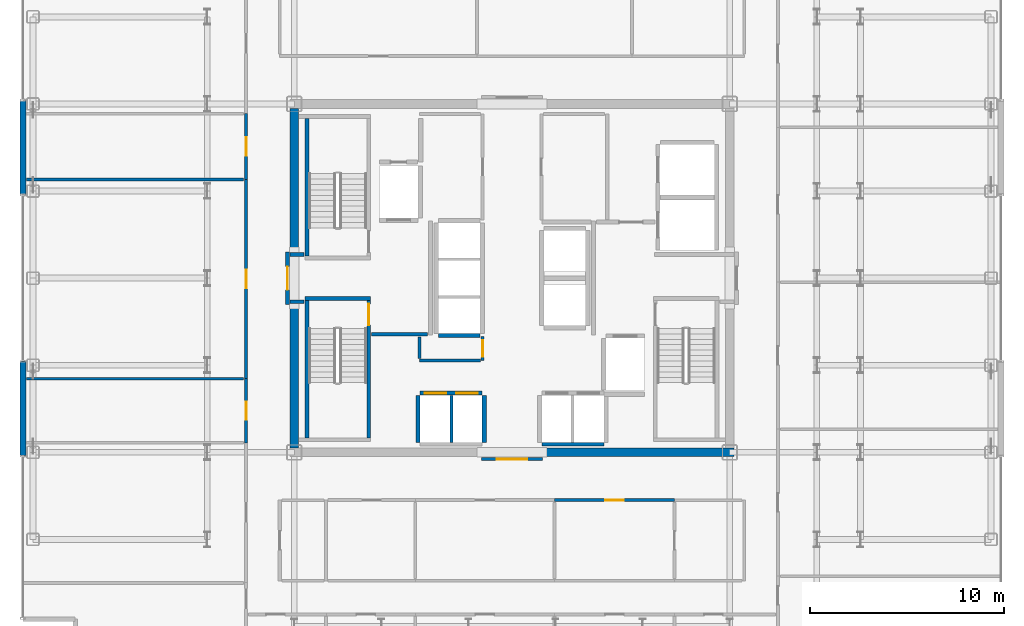
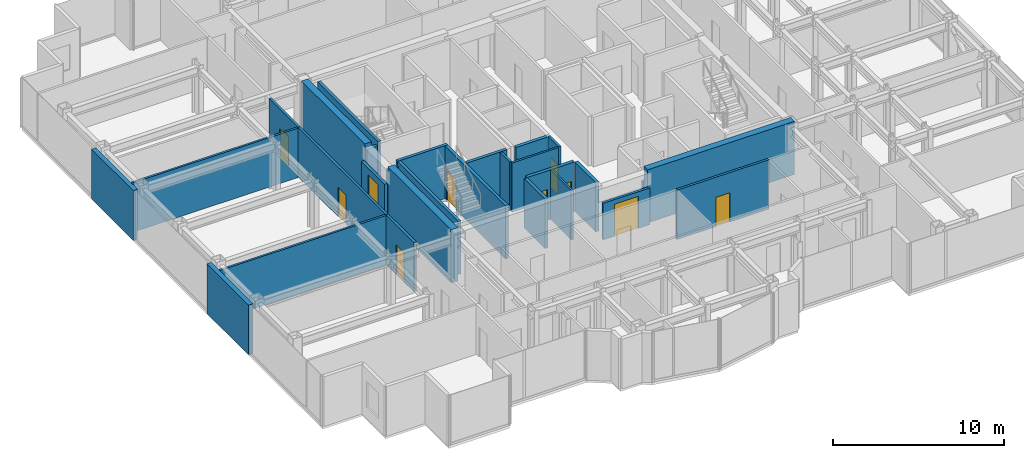
# One storey, part 16 of 21: 29 walls, 10 doors, 10 openings.
"""IFC4 building model written with IfcOpenShell, lengths in metres."""

import ifcopenshell
import ifcopenshell.guid

model = None  # the IFC model being written
_history = None  # IfcOwnerHistory: only IFC2X3 demands one
_inside = {}  # id of a spatial element -> (the spatial element, [elements in it])
_under = {}  # id of a project, library or spatial element -> (it, [spatial elements below it])
_declared = {}  # id of a project -> (the project, [libraries it declares])
_typed = {}  # id of a type object -> (the type object, [elements of that type])
_made_of = {}  # id of a material, layer set ... -> (it, [elements and type objects made of it])


def new_model(schema):
    """Start an empty IFC model of exactly this schema.

    Asked for "IFC4X3", IfcOpenShell would pick the latest addendum, in which some entities
    have other attributes; the version numbers below select the first issue.
    IFC2X3 requires an IfcOwnerHistory on every rooted entity: one is made here for all.
    """
    global model, _history
    if schema == "IFC4X3":
        model = ifcopenshell.file(schema_version=(4, 3, 0, 0))
    else:
        model = ifcopenshell.file(schema=schema)
    _inside.clear()
    _under.clear()
    _declared.clear()
    _typed.clear()
    _made_of.clear()
    _history = None
    if model.schema == "IFC2X3":
        org = make("IfcOrganization", Name="unknown")
        user = make(
            "IfcPersonAndOrganization",
            ThePerson=make("IfcPerson", FamilyName="unknown"),
            TheOrganization=org,
        )
        app = make(
            "IfcApplication",
            ApplicationDeveloper=org,
            Version="unknown",
            ApplicationFullName="unknown",
            ApplicationIdentifier="unknown",
        )
        _history = make(
            "IfcOwnerHistory",
            OwningUser=user,
            OwningApplication=app,
            ChangeAction="ADDED",
            CreationDate=0,
        )
    return model


def make(cls, **values):
    """One entity of the class cls with the attributes given. An attribute that is None is left unset."""
    return model.create_entity(
        cls, **{name: value for name, value in values.items() if value is not None}
    )


def rooted(cls, **values):
    """An entity with a GlobalId (a new one), such as an element, a storey or a relation."""
    return make(cls, GlobalId=ifcopenshell.guid.new(), OwnerHistory=_history, **values)


def si_unit(unit_type, name, prefix=None):
    """IfcSIUnit, for example si_unit("LENGTHUNIT", "METRE", prefix="MILLI")."""
    return make("IfcSIUnit", UnitType=unit_type, Prefix=prefix, Name=name)


def assignment(units):
    """IfcUnitAssignment: the units of a project."""
    return None if units is None else make("IfcUnitAssignment", Units=units)


def point(xyz):
    """IfcCartesianPoint."""
    return None if xyz is None else make("IfcCartesianPoint", Coordinates=xyz)


def direction(xyz):
    """IfcDirection."""
    return None if xyz is None else make("IfcDirection", DirectionRatios=xyz)


def frame(location, z_axis=None, x_axis=None):
    """IfcAxis2Placement3D, a coordinate frame: its origin and axes. An axis left out is left unset."""
    return make(
        "IfcAxis2Placement3D",
        Location=point(location),
        Axis=direction(z_axis),
        RefDirection=direction(x_axis),
    )


def frame_2d(location, x_axis=None):
    """IfcAxis2Placement2D, a coordinate frame in the plane: its origin and x axis."""
    return make(
        "IfcAxis2Placement2D", Location=point(location), RefDirection=direction(x_axis)
    )


def origin():
    """The frame at (0, 0, 0) with its axes left unset."""
    return frame((0.0, 0.0, 0.0))


def place(relative_to, where):
    """IfcLocalPlacement: puts the frame where relative to a parent placement (None: the world)."""
    return make(
        "IfcLocalPlacement", PlacementRelTo=relative_to, RelativePlacement=where
    )


def context(
    kind, dimensions, precision=None, world=None, true_north=None, identifier=None
):
    """IfcGeometricRepresentationContext, for example the 3D "Model" context."""
    return make(
        "IfcGeometricRepresentationContext",
        ContextIdentifier=identifier,
        ContextType=kind,
        CoordinateSpaceDimension=dimensions,
        Precision=precision,
        WorldCoordinateSystem=world,
        TrueNorth=true_north,
    )


def subcontext(parent, identifier, kind, view, scale=None):
    """IfcGeometricRepresentationSubContext, for example "Body" below "Model"."""
    return make(
        "IfcGeometricRepresentationSubContext",
        ContextIdentifier=identifier,
        ContextType=kind,
        ParentContext=parent,
        TargetScale=scale,
        TargetView=view,
    )


def project(units=None, contexts=None):
    """IfcProject with its units and contexts."""
    return rooted(
        "IfcProject",
        Name="project",
        RepresentationContexts=contexts,
        UnitsInContext=assignment(units),
    )


def spatial(cls, under=None, at=None, **own):
    """A site, building, storey or space (cls), placed at a placement, below another one or the project."""
    s = rooted(cls, ObjectPlacement=at, **own)
    if under is not None:
        _under.setdefault(under.id(), (under, []))[1].append(s)
    return s


def profile(cls, at=None, kind="AREA", **sizes):
    """A parametric profile (cls). Its sizes go by their IFC names, for example OverallWidth=200.0."""
    return make(cls, ProfileType=kind, Position=at, **sizes)


def rectangle(**sizes):
    """IfcRectangleProfileDef."""
    return profile("IfcRectangleProfileDef", **sizes)


def extrude(swept, where, along, depth):
    """IfcExtrudedAreaSolid: the profile swept, set in the frame where, extruded along a direction by depth."""
    return make(
        "IfcExtrudedAreaSolid",
        SweptArea=swept,
        Position=where,
        ExtrudedDirection=direction(along),
        Depth=depth,
    )


def shape(context_of_items, identifier, shape_type, items):
    """IfcShapeRepresentation: the items that make up one representation, for example the "Body"."""
    return make(
        "IfcShapeRepresentation",
        ContextOfItems=context_of_items,
        RepresentationIdentifier=identifier,
        RepresentationType=shape_type,
        Items=items,
    )


def source(mapping_origin, context_of_items, identifier, shape_type, items):
    """IfcRepresentationMap: a shape defined once, which mapped items show again and again."""
    return make(
        "IfcRepresentationMap",
        MappingOrigin=mapping_origin,
        MappedRepresentation=shape(context_of_items, identifier, shape_type, items),
    )


def transform(
    local_origin,
    x_axis=None,
    y_axis=None,
    z_axis=None,
    scale=None,
    scale2=None,
    scale3=None,
    uniform=True,
):
    """IfcCartesianTransformationOperator3D, or its non-uniform kind. x_axis, y_axis, z_axis: its Axis1, 2, 3."""
    if uniform:
        return make(
            "IfcCartesianTransformationOperator3D",
            Axis1=direction(x_axis),
            Axis2=direction(y_axis),
            LocalOrigin=point(local_origin),
            Scale=scale,
            Axis3=direction(z_axis),
        )
    return make(
        "IfcCartesianTransformationOperator3DnonUniform",
        Axis1=direction(x_axis),
        Axis2=direction(y_axis),
        LocalOrigin=point(local_origin),
        Scale=scale,
        Axis3=direction(z_axis),
        Scale2=scale2,
        Scale3=scale3,
    )


def mapped(mapping_source, mapping_target):
    """IfcMappedItem: shows the shape of a source again, moved by a transform."""
    return make(
        "IfcMappedItem", MappingSource=mapping_source, MappingTarget=mapping_target
    )


def material(Name=None, Category=None):
    """IfcMaterial."""
    return make("IfcMaterial", Name=Name, Category=Category)


def layer(
    of_material, thickness, ventilated=None, Name=None, Category=None, Priority=None
):
    """IfcMaterialLayer: one layer of a wall or slab, of a material (None: an air gap)."""
    return make(
        "IfcMaterialLayer",
        Material=of_material,
        LayerThickness=thickness,
        IsVentilated=ventilated,
        Name=Name,
        Category=Category,
        Priority=Priority,
    )


def layer_set(layers, Name=None):
    """IfcMaterialLayerSet."""
    return make("IfcMaterialLayerSet", MaterialLayers=layers, LayerSetName=Name)


def made_of(thing, what):
    """Note that an element or type object is made of a material, layer set ...; save() writes the relation."""
    if what is not None:
        _made_of.setdefault(what.id(), (what, []))[1].append(thing)
    return thing


def type_object(cls, material=None, **own):
    """A type object (cls), such as IfcWallType, which elements share."""
    return made_of(rooted(cls, **own), material)


def element(
    cls,
    number,
    at=None,
    inside=None,
    cuts=None,
    type_object=None,
    material=None,
    context=None,
    identifier="Body",
    shape_type=None,
    held_by="IfcProductDefinitionShape",
    body=None,
    shapes=None,
    **own,
):
    """One element of the class cls, such as IfcWall. Its Tag is "e" and its number.

    at: its placement. inside: the storey or other place that contains it. cuts: it is an
    opening in that element (IfcRelVoidsElement). A single representation is given by context,
    identifier, shape_type and body (its items); several are given by shapes. held_by: the class
    of the entity that holds the representations. save() writes the other relations.
    """
    e = rooted(cls, Tag="e%d" % number, ObjectPlacement=at, **own)
    if body is not None:
        shapes = [shape(context, identifier, shape_type, body)]
    if shapes is not None:
        e.Representation = make(held_by, Representations=shapes)
    if inside is not None:
        _inside.setdefault(inside.id(), (inside, []))[1].append(e)
    if cuts is not None:
        rooted(
            "IfcRelVoidsElement", RelatingBuildingElement=cuts, RelatedOpeningElement=e
        )
    if type_object is not None:
        _typed.setdefault(type_object.id(), (type_object, []))[1].append(e)
    return made_of(e, material)


def fill(opening, filler):
    """IfcRelFillsElement: the door or window that sits in an opening."""
    return rooted(
        "IfcRelFillsElement",
        RelatingOpeningElement=opening,
        RelatedBuildingElement=filler,
    )


def aggregate(whole, parts):
    """IfcRelAggregates: a whole, such as a stair, and the parts it consists of."""
    return rooted("IfcRelAggregates", RelatingObject=whole, RelatedObjects=parts)


def save(model, path):
    """Write the relations noted so far, then the file.

    IfcRelAggregates (storeys below a building ...), IfcRelContainedInSpatialStructure (elements
    in a storey), IfcRelDefinesByType, IfcRelAssociatesMaterial and IfcRelDeclares: one each for
    every whole, place, type object, material and project.
    """
    for whole, parts in _under.values():
        aggregate(whole, parts)
    for where, things in _inside.values():
        rooted(
            "IfcRelContainedInSpatialStructure",
            RelatedElements=things,
            RelatingStructure=where,
        )
    for kind, things in _typed.values():
        rooted("IfcRelDefinesByType", RelatedObjects=things, RelatingType=kind)
    for what, things in _made_of.values():
        rooted("IfcRelAssociatesMaterial", RelatedObjects=things, RelatingMaterial=what)
    for by, libraries in _declared.values():
        rooted("IfcRelDeclares", RelatingContext=by, RelatedDefinitions=libraries)
    model.write(path)


model = new_model("IFC4")

# Units and contexts
model_context = context("Model", 3, precision=1e-05, world=origin(), true_north=direction((0.0, 1.0)))
body_context = subcontext(model_context, "Body", "Model", "MODEL_VIEW")
ifc_project = project(units=[si_unit("LENGTHUNIT", "METRE"), si_unit("AREAUNIT", "SQUARE_METRE"), si_unit("VOLUMEUNIT", "CUBIC_METRE"), si_unit("PLANEANGLEUNIT", "RADIAN"), si_unit("MASSUNIT", "GRAM", prefix="KILO")], contexts=[model_context])

# Site, building, storey
site_placement = place(None, origin())
site = spatial("IfcSite", under=ifc_project, at=site_placement, CompositionType="ELEMENT")
building_placement = place(site_placement, origin())
building = spatial("IfcBuilding", under=site, at=building_placement, Name="Nefas-Gora Pilgrimage Tower", CompositionType="ELEMENT")
storey_placement = place(building_placement, frame((0.0, 0.0, 229.39990234375)))
storey = spatial("IfcBuildingStorey", under=building, at=storey_placement, Name="L57", CompositionType="ELEMENT", Elevation=229.39990234375)

# Walls
ifc_material_1 = material(Name="Concrete C50/60", Category="concrete")
ifc_layer_1 = layer(ifc_material_1, 0.449951171875)
ifc_layer_set_1 = layer_set([ifc_layer_1], Name="Concrete C50/60")
wall_type_1 = type_object("IfcWallType", Name="SW-CORE-450", PredefinedType="SHEAR", material=ifc_layer_set_1)
shared_shape_1 = source(origin(), body_context, "Body", "SweptSolid", [
    extrude(rectangle(XDim=9.925048828125, YDim=0.449951171875, at=frame_2d((4.96240234375, 0.0))), origin(), (0.0, 0.0, 1.0), 3.800048828125),
])
wall_1_placement = place(storey_placement, frame((1.550048828125, -9.0, 0.0), z_axis=(0.0, 0.0, 1.0), x_axis=(1.0, 0.0, 0.0)))
element("IfcWall", 1, at=wall_1_placement, inside=storey, type_object=wall_type_1, Name="L57 Core Shear Wall S-East", PredefinedType="SHEAR", context=body_context, shape_type="MappedRepresentation", body=[
    mapped(shared_shape_1, transform((0.0, 0.0, 0.0), x_axis=(1.0, 0.0, 0.0), y_axis=(0.0, 1.0, 0.0), z_axis=(0.0, 0.0, 1.0), scale=1.0)),
])
shared_shape_2 = source(origin(), body_context, "Body", "SweptSolid", [
    extrude(rectangle(XDim=7.4248046875, YDim=0.449951171875, at=frame_2d((3.71240234375, 0.0))), origin(), (0.0, 0.0, 1.0), 3.800048828125),
])
for number, where, z_axis, x_axis, name in (
    (2, (-11.25, -8.77490234375, 0.0), (0.0, 0.0, 1.0), (0.0, 1.0, 0.0), "L57 Core Shear Wall W-South"),
    (3, (-11.25, 1.35009765625, 0.0), (0.0, 0.0, 1.0), (0.0, 1.0, 0.0), "L57 Core Shear Wall W-North"),
):
    element("IfcWall", number, at=place(storey_placement, frame(where, z_axis=z_axis, x_axis=x_axis)), inside=storey, type_object=wall_type_1, Name=name, PredefinedType="SHEAR", context=body_context, shape_type="MappedRepresentation", body=[
        mapped(shared_shape_2, transform((0.0, 0.0, 0.0), x_axis=(1.0, 0.0, 0.0), y_axis=(0.0, 1.0, 0.0), z_axis=(0.0, 0.0, 1.0), scale=1.0)),
    ])
ifc_material_2 = material(Name="Precast concrete C45/55", Category="concrete")
ifc_layer_2 = layer(ifc_material_2, 0.239990234375)
ifc_layer_set_2 = layer_set([ifc_layer_2], Name="Precast concrete C45/55")
wall_type_2 = type_object("IfcWallType", Name="EW-SERR-240", PredefinedType="SHEAR", material=ifc_layer_set_2)
shared_shape_3 = source(origin(), body_context, "Body", "SweptSolid", [
    extrude(rectangle(XDim=4.8798828125, YDim=0.300048828125, at=frame_2d((2.43994140625, 0.0))), origin(), (0.0, 0.0, 1.0), 3.550048828125),
])
for number, where, z_axis, x_axis, name in (
    (4, (-25.27001953125, -9.18994140625, 0.0), (0.0, 0.0, 1.0), (0.0, 1.0, 0.0), "L57 Braced-Tube Precast Shear Cladding 1"),
    (5, (-25.27001953125, 4.31005859375, 0.0), (0.0, 0.0, 1.0), (0.0, 1.0, 0.0), "L57 Braced-Tube Precast Shear Cladding 2"),
):
    element("IfcWall", number, at=place(storey_placement, frame(where, z_axis=z_axis, x_axis=x_axis)), inside=storey, type_object=wall_type_2, Name=name, PredefinedType="SHEAR", context=body_context, shape_type="MappedRepresentation", body=[
        mapped(shared_shape_3, transform((0.0, 0.0, 0.0), x_axis=(1.0, 0.0, 0.0), y_axis=(0.0, 1.0, 0.0), z_axis=(0.0, 0.0, 1.0), scale=1.0)),
    ])
ifc_material_3 = material(Name="Concrete C45/55", Category="concrete")
ifc_layer_3 = layer(ifc_material_3, 0.199951171875)
ifc_layer_set_3 = layer_set([ifc_layer_3], Name="Concrete C45/55")
wall_type_3 = type_object("IfcWallType", Name="IW-STAIR-200", PredefinedType="SOLIDWALL", material=ifc_layer_set_3)
shared_shape_4 = source(origin(), body_context, "Body", "SweptSolid", [
    extrude(rectangle(XDim=3.39990234375, YDim=0.199951171875, at=frame_2d((1.699951171875, 0.0))), origin(), (0.0, 0.0, 1.0), 3.800048828125),
])
wall_2_placement = place(storey_placement, frame((-10.699951171875, -1.050048828125, 0.0), z_axis=(0.0, 0.0, 1.0), x_axis=(1.0, 0.0, 0.0)))
element("IfcWall", 6, at=wall_2_placement, inside=storey, type_object=wall_type_3, Name="L57 Stairwell Shear Wall ST-03-near", PredefinedType="SOLIDWALL", context=body_context, shape_type="MappedRepresentation", body=[
    mapped(shared_shape_4, transform((0.0, 0.0, 0.0), x_axis=(1.0, 0.0, 0.0), y_axis=(0.0, 1.0, 0.0), z_axis=(0.0, 0.0, 1.0), scale=1.0)),
])
shared_shape_5 = source(origin(), body_context, "Body", "SweptSolid", [
    extrude(rectangle(XDim=7.10009765625, YDim=0.199951171875, at=frame_2d((3.550048828125, 0.0))), origin(), (0.0, 0.0, 1.0), 3.800048828125),
])
for number, where, z_axis, x_axis, name in (
    (7, (-10.60009765625, 1.14990234375, 0.0), (0.0, 0.0, 1.0), (0.0, 1.0, 0.0), "L57 Stairwell Shear Wall ST-01-right"),
    (8, (-10.60009765625, -1.14990234375, 0.0), (0.0, 0.0, 1.0), (0.0, -1.0, 0.0), "L57 Stairwell Shear Wall ST-03-left"),
):
    element("IfcWall", number, at=place(storey_placement, frame(where, z_axis=z_axis, x_axis=x_axis)), inside=storey, type_object=wall_type_3, Name=name, PredefinedType="SOLIDWALL", context=body_context, shape_type="MappedRepresentation", body=[
        mapped(shared_shape_5, transform((0.0, 0.0, 0.0), x_axis=(1.0, 0.0, 0.0), y_axis=(0.0, 1.0, 0.0), z_axis=(0.0, 0.0, 1.0), scale=1.0)),
    ])

# Wall, opening, door
wall_3_placement = place(storey_placement, frame((-7.39990234375, -1.14990234375, 0.0), z_axis=(0.0, 0.0, 1.0), x_axis=(0.0, -1.0, 0.0)))
wall_3 = element("IfcWall", 9, at=wall_3_placement, inside=storey, type_object=wall_type_3, Name="L57 Stairwell Shear Wall ST-03-right", PredefinedType="SOLIDWALL", context=body_context, shape_type="MappedRepresentation", body=[
    mapped(shared_shape_5, transform((0.0, 0.0, 0.0), x_axis=(1.0, 0.0, 0.0), y_axis=(0.0, 1.0, 0.0), z_axis=(0.0, 0.0, 1.0), scale=1.0)),
])
opening_1_placement = place(wall_3_placement, frame((0.179931640625, 0.0, 0.0)))
opening_1 = element("IfcOpeningElement", 10, at=opening_1_placement, cuts=wall_3, Name="Opening ID-ST1", PredefinedType="OPENING", context=body_context, shape_type="SweptSolid", body=[
    extrude(rectangle(XDim=1.10009765625, YDim=2.14990234375, at=frame_2d((0.550048828125, 1.074951171875))), frame((0.0, 0.10986328125, 0.0), z_axis=(0.0, -1.0, 0.0), x_axis=(1.0, 0.0, 0.0)), (0.0, 0.0, 1.0), 0.219970703125),
])
ifc_material_4 = material(Name="Painted galvanised steel fire stair door", Category="steel")
door_type_1 = type_object("IfcDoorType", Name="DR-INT-STAIR-1100", OperationType="NOTDEFINED", PredefinedType="DOOR", material=ifc_material_4)
shared_shape_6 = source(origin(), body_context, "Body", "SweptSolid", [
    extrude(rectangle(XDim=1.10009765625, YDim=2.14990234375, at=frame_2d((0.550048828125, 1.074951171875))), frame((0.0, 0.02490234375, 0.0), z_axis=(0.0, -1.0, 0.0), x_axis=(1.0, 0.0, 0.0)), (0.0, 0.0, 1.0), 0.050048828125),
])
door_1_placement = place(opening_1_placement, origin())
door_1 = element("IfcDoor", 11, at=door_1_placement, inside=storey, type_object=door_type_1, Name="L57 Protected Exit Stair Door ST-03", OperationType="SINGLE_SWING_LEFT", OverallHeight=2.14990234375, OverallWidth=1.10009765625, PredefinedType="DOOR", context=body_context, shape_type="MappedRepresentation", body=[
    mapped(shared_shape_6, transform((0.0, 0.0, 0.0), x_axis=(1.0, 0.0, 0.0), y_axis=(0.0, 1.0, 0.0), z_axis=(0.0, 0.0, 1.0), scale=1.0)),
])
fill(opening_1, door_1)

# Wall, openings, doors
ifc_material_5 = material(Name="Concrete C40/50", Category="concrete")
ifc_layer_4 = layer(ifc_material_5, 0.219970703125)
ifc_layer_set_4 = layer_set([ifc_layer_4], Name="Concrete C40/50")
wall_type_4 = type_object("IfcWallType", Name="IW-SHAFT-220", PredefinedType="SOLIDWALL", material=ifc_layer_set_4)
shared_shape_7 = source(origin(), body_context, "Body", "SweptSolid", [
    extrude(rectangle(XDim=3.199951171875, YDim=0.219970703125, at=frame_2d((1.60009765625, 0.0))), origin(), (0.0, 0.0, 1.0), 3.53515625),
])
wall_4_placement = place(storey_placement, frame((-1.550048828125, -5.93994140625, 0.0), z_axis=(0.0, 0.0, 1.0), x_axis=(-1.0, 0.0, 0.0)))
wall_4 = element("IfcWall", 12, at=wall_4_placement, inside=storey, type_object=wall_type_4, Name="L57 Hoistway Wall PL2-W-N", PredefinedType="SOLIDWALL", context=body_context, shape_type="MappedRepresentation", body=[
    mapped(shared_shape_7, transform((0.0, 0.0, 0.0), x_axis=(1.0, 0.0, 0.0), y_axis=(0.0, 1.0, 0.0), z_axis=(0.0, 0.0, 1.0), scale=1.0)),
])
opening_2_placement = place(wall_4_placement, frame((1.85009765625, 0.0, 0.0)))
opening_2 = element("IfcOpeningElement", 13, at=opening_2_placement, cuts=wall_4, Name="Opening LD-01", PredefinedType="OPENING", context=body_context, shape_type="SweptSolid", body=[
    extrude(rectangle(XDim=1.10009765625, YDim=2.199951171875, at=frame_2d((0.550048828125, 1.10009765625))), frame((0.0, 0.119873046875, 0.0), z_axis=(0.0, -1.0, 0.0), x_axis=(1.0, 0.0, 0.0)), (0.0, 0.0, 1.0), 0.239990234375),
])
opening_3_placement = place(wall_4_placement, frame((0.22509765625, 0.0, 0.0)))
opening_3 = element("IfcOpeningElement", 14, at=opening_3_placement, cuts=wall_4, Name="Opening LD-01", PredefinedType="OPENING", context=body_context, shape_type="SweptSolid", body=[
    extrude(rectangle(XDim=1.10009765625, YDim=2.199951171875, at=frame_2d((0.550048828125, 1.10009765625))), frame((0.0, 0.119873046875, 0.0), z_axis=(0.0, -1.0, 0.0), x_axis=(1.0, 0.0, 0.0)), (0.0, 0.0, 1.0), 0.239990234375),
])
ifc_material_6 = material(Name="Brushed stainless sliding lift landing door")
door_type_2 = type_object("IfcDoorType", Name="DR-LIFT-PASS-1100", OperationType="DOUBLE_DOOR_SLIDING", PredefinedType="DOOR", material=ifc_material_6)
shared_shape_8 = source(origin(), body_context, "Body", "SweptSolid", [
    extrude(rectangle(XDim=1.10009765625, YDim=2.199951171875, at=frame_2d((0.550048828125, 1.10009765625))), frame((0.0, 0.02490234375, 0.0), z_axis=(0.0, -1.0, 0.0), x_axis=(1.0, 0.0, 0.0)), (0.0, 0.0, 1.0), 0.050048828125),
])
door_2_placement = place(opening_2_placement, origin())
door_2 = element("IfcDoor", 15, at=door_2_placement, inside=storey, type_object=door_type_2, Name="L57 Sliding Lift Landing Door PL2-01", OperationType="DOUBLE_DOOR_SLIDING", OverallHeight=2.199951171875, OverallWidth=1.10009765625, PredefinedType="DOOR", context=body_context, shape_type="MappedRepresentation", body=[
    mapped(shared_shape_8, transform((0.0, 0.0, 0.0), x_axis=(1.0, 0.0, 0.0), y_axis=(0.0, 1.0, 0.0), z_axis=(0.0, 0.0, 1.0), scale=1.0)),
])
fill(opening_2, door_2)
door_3_placement = place(opening_3_placement, origin())
door_3 = element("IfcDoor", 16, at=door_3_placement, inside=storey, type_object=door_type_2, Name="L57 Sliding Lift Landing Door PL2-02", OperationType="DOUBLE_DOOR_SLIDING", OverallHeight=2.199951171875, OverallWidth=1.10009765625, PredefinedType="DOOR", context=body_context, shape_type="MappedRepresentation", body=[
    mapped(shared_shape_8, transform((0.0, 0.0, 0.0), x_axis=(1.0, 0.0, 0.0), y_axis=(0.0, 1.0, 0.0), z_axis=(0.0, 0.0, 1.0), scale=1.0)),
])
fill(opening_3, door_3)

# Walls
shared_shape_9 = source(origin(), body_context, "Body", "SweptSolid", [
    extrude(rectangle(XDim=2.429931640625, YDim=0.219970703125, at=frame_2d((1.21484375, 0.0))), origin(), (0.0, 0.0, 1.0), 3.53515625),
])
for number, where, z_axis, x_axis, name in (
    (17, (-4.860107421875, -6.06005859375, 0.0), (0.0, 0.0, 1.0), (0.0, -1.0, 0.0), "L57 Hoistway Wall PL2-W-W"),
    (18, (-1.43994140625, -8.489990234375, 0.0), (0.0, 0.0, 1.0), (0.0, 1.0, 0.0), "L57 Hoistway Wall PL2-W-E"),
):
    element("IfcWall", number, at=place(storey_placement, frame(where, z_axis=z_axis, x_axis=x_axis)), inside=storey, type_object=wall_type_4, Name=name, PredefinedType="SOLIDWALL", context=body_context, shape_type="MappedRepresentation", body=[
        mapped(shared_shape_9, transform((0.0, 0.0, 0.0), x_axis=(1.0, 0.0, 0.0), y_axis=(0.0, 1.0, 0.0), z_axis=(0.0, 0.0, 1.0), scale=1.0)),
    ])
ifc_material_7 = material(Name="Gypsum twin-stud partition")
ifc_layer_5 = layer(ifc_material_7, 0.139892578125)
ifc_layer_set_5 = layer_set([ifc_layer_5], Name="Gypsum twin-stud partition")
wall_type_5 = type_object("IfcWallType", Name="IW-UNIT-140", PredefinedType="PARTITIONING", material=ifc_layer_set_5)
shared_shape_10 = source(origin(), body_context, "Body", "SweptSolid", [
    extrude(rectangle(XDim=2.429931640625, YDim=0.139892578125, at=frame_2d((1.21484375, 0.0))), origin(), (0.0, 0.0, 1.0), 3.53515625),
])
wall_5_placement = place(storey_placement, frame((-3.125, -8.489990234375, 0.0), z_axis=(0.0, 0.0, 1.0), x_axis=(0.0, 1.0, 0.0)))
element("IfcWall", 19, at=wall_5_placement, inside=storey, type_object=wall_type_5, Name="L57 Hoistway Wall PL2-W-DIV", PredefinedType="PARTITIONING", context=body_context, shape_type="MappedRepresentation", body=[
    mapped(shared_shape_10, transform((0.0, 0.0, 0.0), x_axis=(1.0, 0.0, 0.0), y_axis=(0.0, 1.0, 0.0), z_axis=(0.0, 0.0, 1.0), scale=1.0)),
])
shared_shape_11 = source(origin(), body_context, "Body", "SweptSolid", [
    extrude(rectangle(XDim=2.130126953125, YDim=0.219970703125, at=frame_2d((1.06494140625, 0.0))), origin(), (0.0, 0.0, 1.0), 3.53515625),
])
wall_6_placement = place(storey_placement, frame((-3.7900390625, -2.9599609375, 0.0), z_axis=(0.0, 0.0, 1.0), x_axis=(1.0, 0.0, 0.0)))
element("IfcWall", 20, at=wall_6_placement, inside=storey, type_object=wall_type_4, Name="L57 Hoistway Wall PL3-01-S", PredefinedType="SOLIDWALL", context=body_context, shape_type="MappedRepresentation", body=[
    mapped(shared_shape_11, transform((0.0, 0.0, 0.0), x_axis=(1.0, 0.0, 0.0), y_axis=(0.0, 1.0, 0.0), z_axis=(0.0, 0.0, 1.0), scale=1.0)),
])
ifc_material_8 = material(Name="Gypsum acoustic stud partition")
ifc_layer_6 = layer(ifc_material_8, 0.159912109375)
ifc_layer_set_6 = layer_set([ifc_layer_6], Name="Gypsum acoustic stud partition")
wall_type_6 = type_object("IfcWallType", Name="IW-CORR-160", PredefinedType="PARTITIONING", material=ifc_layer_set_6)
shared_shape_12 = source(origin(), body_context, "Body", "SweptSolid", [
    extrude(rectangle(XDim=3.199951171875, YDim=0.159912109375, at=frame_2d((1.60009765625, 0.0))), origin(), (0.0, 0.0, 1.0), 2.625),
])
wall_7_placement = place(storey_placement, frame((1.550048828125, -8.580078125, 0.0), z_axis=(0.0, 0.0, 1.0), x_axis=(1.0, 0.0, 0.0)))
element("IfcWall", 21, at=wall_7_placement, inside=storey, type_object=wall_type_6, Name="L57 Hoistway Wall PL2-E-S", PredefinedType="PARTITIONING", context=body_context, shape_type="MappedRepresentation", body=[
    mapped(shared_shape_12, transform((0.0, 0.0, 0.0), x_axis=(1.0, 0.0, 0.0), y_axis=(0.0, 1.0, 0.0), z_axis=(0.0, 0.0, 1.0), scale=1.0)),
])
ifc_material_9 = material(Name="Gypsum fire-rated shaftwall")
ifc_layer_7 = layer(ifc_material_9, 0.199951171875)
ifc_layer_set_7 = layer_set([ifc_layer_7], Name="Gypsum fire-rated shaftwall")
wall_type_7 = type_object("IfcWallType", Name="IW-FFLOB-200", PredefinedType="PARTITIONING", material=ifc_layer_set_7)
shared_shape_13 = source(origin(), body_context, "Body", "SweptSolid", [
    extrude(rectangle(XDim=2.89990234375, YDim=0.199951171875, at=frame_2d((1.449951171875, 0.0))), origin(), (0.0, 0.0, 1.0), 3.53515625),
])
wall_8_placement = place(storey_placement, frame((-7.260009765625, -2.89990234375, 0.0), z_axis=(0.0, 0.0, 1.0), x_axis=(1.0, 0.0, 0.0)))
element("IfcWall", 22, at=wall_8_placement, inside=storey, type_object=wall_type_7, Name="L57 FF Lobby West South Wall Wall 6", PredefinedType="PARTITIONING", context=body_context, shape_type="MappedRepresentation", body=[
    mapped(shared_shape_13, transform((0.0, 0.0, 0.0), x_axis=(1.0, 0.0, 0.0), y_axis=(0.0, 1.0, 0.0), z_axis=(0.0, 0.0, 1.0), scale=1.0)),
])
shared_shape_14 = source(origin(), body_context, "Body", "SweptSolid", [
    extrude(rectangle(XDim=0.719970703125, YDim=0.199951171875, at=frame_2d((0.35986328125, 0.0))), origin(), (0.0, 0.0, 1.0), 3.53515625),
])
for number, where, z_axis, x_axis, name in (
    (23, (-11.4599609375, 1.219970703125, 0.0), (0.0, 0.0, 1.0), (1.0, 0.0, 0.0), "L57 FF Lobby West Throat N Wall 7"),
    (24, (-11.4599609375, -1.219970703125, 0.0), (0.0, 0.0, 1.0), (1.0, 0.0, 0.0), "L57 FF Lobby West Throat S Wall 8"),
):
    element("IfcWall", number, at=place(storey_placement, frame(where, z_axis=z_axis, x_axis=x_axis)), inside=storey, type_object=wall_type_7, Name=name, PredefinedType="PARTITIONING", context=body_context, shape_type="MappedRepresentation", body=[
        mapped(shared_shape_14, transform((0.0, 0.0, 0.0), x_axis=(1.0, 0.0, 0.0), y_axis=(0.0, 1.0, 0.0), z_axis=(0.0, 0.0, 1.0), scale=1.0)),
    ])
shared_shape_15 = source(origin(), body_context, "Body", "SweptSolid", [
    extrude(rectangle(XDim=3.150146484375, YDim=0.139892578125, at=frame_2d((1.5751953125, 0.0))), origin(), (0.0, 0.0, 1.0), 3.53515625),
])
wall_9_placement = place(storey_placement, frame((-4.7900390625, -4.25, 0.0), z_axis=(0.0, 0.0, 1.0), x_axis=(1.0, 0.0, 0.0)))
element("IfcWall", 25, at=wall_9_placement, inside=storey, type_object=wall_type_5, Name="L57 Pilgrim Baggage and Gear Vault Partition Wall 21", PredefinedType="PARTITIONING", context=body_context, shape_type="MappedRepresentation", body=[
    mapped(shared_shape_15, transform((0.0, 0.0, 0.0), x_axis=(1.0, 0.0, 0.0), y_axis=(0.0, 1.0, 0.0), z_axis=(0.0, 0.0, 1.0), scale=1.0)),
])

# Wall, opening, door
shared_shape_16 = source(origin(), body_context, "Body", "SweptSolid", [
    extrude(rectangle(XDim=3.409912109375, YDim=0.159912109375, at=frame_2d((1.705078125, 0.0))), origin(), (0.0, 0.0, 1.0), 3.53515625),
])
wall_10_placement = place(storey_placement, frame((-13.739990234375, 5.094970703125, 0.0), z_axis=(0.0, 0.0, 1.0), x_axis=(0.0, 1.0, 0.0)))
wall_10 = element("IfcWall", 26, at=wall_10_placement, inside=storey, type_object=wall_type_6, Name="L57 Scripture Reading Study Partition Wall 36", PredefinedType="PARTITIONING", context=body_context, shape_type="MappedRepresentation", body=[
    mapped(shared_shape_16, transform((0.0, 0.0, 0.0), x_axis=(1.0, 0.0, 0.0), y_axis=(0.0, 1.0, 0.0), z_axis=(0.0, 0.0, 1.0), scale=1.0)),
])
opening_4_placement = place(wall_10_placement, frame((1.22998046875, 0.0, 0.0)))
opening_4 = element("IfcOpeningElement", 27, at=opening_4_placement, cuts=wall_10, Name="Opening ID-GR1", PredefinedType="OPENING", context=body_context, shape_type="SweptSolid", body=[
    extrude(rectangle(XDim=0.949951171875, YDim=2.10009765625, at=frame_2d((0.47509765625, 1.050048828125))), frame((0.0, 0.08984375, 0.0), z_axis=(0.0, -1.0, 0.0), x_axis=(1.0, 0.0, 0.0)), (0.0, 0.0, 1.0), 0.179931640625),
])
ifc_material_10 = material(Name="Solid core oak fire-rated guest entrance door")
door_type_3 = type_object("IfcDoorType", Name="DR-INT-GUEST-950", OperationType="NOTDEFINED", PredefinedType="DOOR", material=ifc_material_10)
shared_shape_17 = source(origin(), body_context, "Body", "SweptSolid", [
    extrude(rectangle(XDim=0.949951171875, YDim=2.10009765625, at=frame_2d((0.47509765625, 1.050048828125))), frame((0.0, 0.02490234375, 0.0), z_axis=(0.0, -1.0, 0.0), x_axis=(1.0, 0.0, 0.0)), (0.0, 0.0, 1.0), 0.050048828125),
])
door_4_placement = place(opening_4_placement, origin())
door_4 = element("IfcDoor", 28, at=door_4_placement, inside=storey, type_object=door_type_3, Name="L57 Scripture Reading Study Door 15", OperationType="SINGLE_SWING_LEFT", OverallHeight=2.10009765625, OverallWidth=0.949951171875, PredefinedType="DOOR", context=body_context, shape_type="MappedRepresentation", body=[
    mapped(shared_shape_17, transform((0.0, 0.0, 0.0), x_axis=(1.0, 0.0, 0.0), y_axis=(0.0, 1.0, 0.0), z_axis=(0.0, 0.0, 1.0), scale=1.0)),
])
fill(opening_4, door_4)

shared_shape_18 = source(origin(), body_context, "Body", "SweptSolid", [
    extrude(rectangle(XDim=1.25, YDim=0.159912109375, at=frame_2d((0.625, 0.0))), origin(), (0.0, 0.0, 1.0), 3.53515625),
])
wall_11_placement = place(storey_placement, frame((-1.52001953125, -4.260009765625, 0.0), z_axis=(0.0, 0.0, 1.0), x_axis=(0.0, 1.0, 0.0)))
wall_11 = element("IfcWall", 29, at=wall_11_placement, inside=storey, type_object=wall_type_6, Name="L57 Pilgrim Baggage and Gear Vault Wall 20", PredefinedType="PARTITIONING", context=body_context, shape_type="MappedRepresentation", body=[
    mapped(shared_shape_18, transform((0.0, 0.0, 0.0), x_axis=(1.0, 0.0, 0.0), y_axis=(0.0, 1.0, 0.0), z_axis=(0.0, 0.0, 1.0), scale=1.0)),
])
opening_5_placement = place(wall_11_placement, frame((0.199951171875, 0.0, 0.0)))
opening_5 = element("IfcOpeningElement", 30, at=opening_5_placement, cuts=wall_11, Name="Opening ID-BT1", PredefinedType="OPENING", context=body_context, shape_type="SweptSolid", body=[
    extrude(rectangle(XDim=0.85009765625, YDim=2.10009765625, at=frame_2d((0.425048828125, 1.050048828125))), frame((0.0, 0.08984375, 0.0), z_axis=(0.0, -1.0, 0.0), x_axis=(1.0, 0.0, 0.0)), (0.0, 0.0, 1.0), 0.179931640625),
])
ifc_material_11 = material(Name="Moisture-resistant fire-rated timber door", Category="wood")
door_type_4 = type_object("IfcDoorType", Name="DR-INT-BATH-850", OperationType="NOTDEFINED", PredefinedType="DOOR", material=ifc_material_11)
shared_shape_19 = source(origin(), body_context, "Body", "SweptSolid", [
    extrude(rectangle(XDim=0.85009765625, YDim=2.10009765625, at=frame_2d((0.425048828125, 1.050048828125))), frame((0.0, 0.02490234375, 0.0), z_axis=(0.0, -1.0, 0.0), x_axis=(1.0, 0.0, 0.0)), (0.0, 0.0, 1.0), 0.050048828125),
])
door_5_placement = place(opening_5_placement, origin())
door_5 = element("IfcDoor", 31, at=door_5_placement, inside=storey, type_object=door_type_4, Name="L57 Pilgrim Baggage and Gear Vault Door 8", OperationType="SINGLE_SWING_RIGHT", OverallHeight=2.10009765625, OverallWidth=0.85009765625, PredefinedType="DOOR", context=body_context, shape_type="MappedRepresentation", body=[
    mapped(shared_shape_19, transform((0.0, 0.0, 0.0), x_axis=(1.0, 0.0, 0.0), y_axis=(0.0, 1.0, 0.0), z_axis=(0.0, 0.0, 1.0), scale=1.0)),
])
fill(opening_5, door_5)

shared_shape_20 = source(origin(), body_context, "Body", "SweptSolid", [
    extrude(rectangle(XDim=3.309814453125, YDim=0.159912109375, at=frame_2d((1.65478515625, 0.0))), origin(), (0.0, 0.0, 1.0), 3.53515625),
])
wall_12_placement = place(storey_placement, frame((-13.739990234375, -8.5048828125, 0.0), z_axis=(0.0, 0.0, 1.0), x_axis=(0.0, 1.0, 0.0)))
wall_12 = element("IfcWall", 32, at=wall_12_placement, inside=storey, type_object=wall_type_6, Name="L57 Pastoral Chaplains Counselling Office Partition Wall 32", PredefinedType="PARTITIONING", context=body_context, shape_type="MappedRepresentation", body=[
    mapped(shared_shape_20, transform((0.0, 0.0, 0.0), x_axis=(1.0, 0.0, 0.0), y_axis=(0.0, 1.0, 0.0), z_axis=(0.0, 0.0, 1.0), scale=1.0)),
])
opening_6_placement = place(wall_12_placement, frame((1.179931640625, 0.0, 0.0)))
opening_6 = element("IfcOpeningElement", 33, at=opening_6_placement, cuts=wall_12, Name="Opening ID-GR1", PredefinedType="OPENING", context=body_context, shape_type="SweptSolid", body=[
    extrude(rectangle(XDim=0.949951171875, YDim=2.10009765625, at=frame_2d((0.47509765625, 1.050048828125))), frame((0.0, 0.08984375, 0.0), z_axis=(0.0, -1.0, 0.0), x_axis=(1.0, 0.0, 0.0)), (0.0, 0.0, 1.0), 0.179931640625),
])
door_6_placement = place(opening_6_placement, origin())
door_6 = element("IfcDoor", 34, at=door_6_placement, inside=storey, type_object=door_type_3, Name="L57 Pastoral Chaplains Counselling Office Door 13", OperationType="SINGLE_SWING_LEFT", OverallHeight=2.10009765625, OverallWidth=0.949951171875, PredefinedType="DOOR", context=body_context, shape_type="MappedRepresentation", body=[
    mapped(shared_shape_17, transform((0.0, 0.0, 0.0), x_axis=(1.0, 0.0, 0.0), y_axis=(0.0, 1.0, 0.0), z_axis=(0.0, 0.0, 1.0), scale=1.0)),
])
fill(opening_6, door_6)

shared_shape_21 = source(origin(), body_context, "Body", "SweptSolid", [
    extrude(rectangle(XDim=6.2099609375, YDim=0.159912109375, at=frame_2d((3.10498046875, 0.0))), origin(), (0.0, 0.0, 1.0), 3.53515625),
])
wall_13_placement = place(storey_placement, frame((2.195068359375, -11.469970703125, 0.0), z_axis=(0.0, 0.0, 1.0), x_axis=(1.0, 0.0, 0.0)))
wall_13 = element("IfcWall", 35, at=wall_13_placement, inside=storey, type_object=wall_type_6, Name="L57 Pilgrim Contemplative Lounge Partition Wall 86", PredefinedType="PARTITIONING", context=body_context, shape_type="MappedRepresentation", body=[
    mapped(shared_shape_21, transform((0.0, 0.0, 0.0), x_axis=(1.0, 0.0, 0.0), y_axis=(0.0, 1.0, 0.0), z_axis=(0.0, 0.0, 1.0), scale=1.0)),
])
opening_7_placement = place(wall_13_placement, frame((2.6298828125, 0.0, 0.0)))
opening_7 = element("IfcOpeningElement", 36, at=opening_7_placement, cuts=wall_13, Name="Opening ID-GR1", PredefinedType="OPENING", context=body_context, shape_type="SweptSolid", body=[
    extrude(rectangle(XDim=0.949951171875, YDim=2.10009765625, at=frame_2d((0.47509765625, 1.050048828125))), frame((0.0, 0.08984375, 0.0), z_axis=(0.0, -1.0, 0.0), x_axis=(1.0, 0.0, 0.0)), (0.0, 0.0, 1.0), 0.179931640625),
])
door_7_placement = place(opening_7_placement, origin())
door_7 = element("IfcDoor", 37, at=door_7_placement, inside=storey, type_object=door_type_3, Name="L57 Pilgrim Contemplative Lounge Door 38", OperationType="SINGLE_SWING_RIGHT", OverallHeight=2.10009765625, OverallWidth=0.949951171875, PredefinedType="DOOR", context=body_context, shape_type="MappedRepresentation", body=[
    mapped(shared_shape_17, transform((0.0, 0.0, 0.0), x_axis=(1.0, 0.0, 0.0), y_axis=(0.0, 1.0, 0.0), z_axis=(0.0, 0.0, 1.0), scale=1.0)),
])
fill(opening_7, door_7)

# Walls
shared_shape_22 = source(origin(), body_context, "Body", "SweptSolid", [
    extrude(rectangle(XDim=1.099853515625, YDim=0.139892578125, at=frame_2d((0.5498046875, 0.0))), origin(), (0.0, 0.0, 1.0), 3.53515625),
])
wall_14_placement = place(storey_placement, frame((-4.780029296875, -4.139892578125, 0.0), z_axis=(0.0, 0.0, 1.0), x_axis=(0.0, 1.0, 0.0)))
element("IfcWall", 38, at=wall_14_placement, inside=storey, type_object=wall_type_5, Name="L57 Pilgrim Baggage and Gear Vault Partition Wall 22", PredefinedType="PARTITIONING", context=body_context, shape_type="MappedRepresentation", body=[
    mapped(shared_shape_22, transform((0.0, 0.0, 0.0), x_axis=(1.0, 0.0, 0.0), y_axis=(0.0, 1.0, 0.0), z_axis=(0.0, 0.0, 1.0), scale=1.0)),
])
shared_shape_23 = source(origin(), body_context, "Body", "SweptSolid", [
    extrude(rectangle(XDim=11.219970703125, YDim=0.139892578125, at=frame_2d((5.60986328125, 0.0))), origin(), (0.0, 0.0, 1.0), 3.53515625),
])
for number, where, z_axis, x_axis, name in (
    (39, (-25.080078125, -5.205078125, 0.0), (0.0, 0.0, 1.0), (1.0, 0.0, 0.0), "L57 Pastoral Chaplains Counselling Office Partition Wall 33"),
    (40, (-25.080078125, 5.094970703125, 0.0), (0.0, 0.0, 1.0), (1.0, 0.0, 0.0), "L57 Pilgrim Devotional Prayer Gallery Partition Wall 35"),
):
    element("IfcWall", number, at=place(storey_placement, frame(where, z_axis=z_axis, x_axis=x_axis)), inside=storey, type_object=wall_type_5, Name=name, PredefinedType="PARTITIONING", context=body_context, shape_type="MappedRepresentation", body=[
        mapped(shared_shape_23, transform((0.0, 0.0, 0.0), x_axis=(1.0, 0.0, 0.0), y_axis=(0.0, 1.0, 0.0), z_axis=(0.0, 0.0, 1.0), scale=1.0)),
    ])

# Wall, opening, door
shared_shape_24 = source(origin(), body_context, "Body", "SweptSolid", [
    extrude(rectangle(XDim=2.7001953125, YDim=0.199951171875, at=frame_2d((1.35009765625, 0.0))), origin(), (0.0, 0.0, 1.0), 2.625),
])
wall_15_placement = place(storey_placement, frame((-11.60009765625, -1.35009765625, 0.0), z_axis=(0.0, 0.0, 1.0), x_axis=(0.0, 1.0, 0.0)))
wall_15 = element("IfcWall", 41, at=wall_15_placement, inside=storey, type_object=wall_type_7, Name="L57 FF Lobby West Portal Wall 4", PredefinedType="PARTITIONING", context=body_context, shape_type="MappedRepresentation", body=[
    mapped(shared_shape_24, transform((0.0, 0.0, 0.0), x_axis=(1.0, 0.0, 0.0), y_axis=(0.0, 1.0, 0.0), z_axis=(0.0, 0.0, 1.0), scale=1.0)),
])
opening_8_placement = place(wall_15_placement, frame((0.75, 0.0, 0.0)))
opening_8 = element("IfcOpeningElement", 42, at=opening_8_placement, cuts=wall_15, Name="Opening ID-FF1", PredefinedType="OPENING", context=body_context, shape_type="SweptSolid", body=[
    extrude(rectangle(XDim=1.199951171875, YDim=2.14990234375, at=frame_2d((0.60009765625, 1.074951171875))), frame((0.0, 0.10986328125, 0.0), z_axis=(0.0, -1.0, 0.0), x_axis=(1.0, 0.0, 0.0)), (0.0, 0.0, 1.0), 0.219970703125),
])
ifc_material_12 = material(Name="Smoke-sealed steel firefighting lobby door", Category="steel")
door_type_5 = type_object("IfcDoorType", Name="DR-INT-FFLOB-1200", OperationType="NOTDEFINED", PredefinedType="DOOR", material=ifc_material_12)
shared_shape_25 = source(origin(), body_context, "Body", "SweptSolid", [
    extrude(rectangle(XDim=1.199951171875, YDim=2.14990234375, at=frame_2d((0.60009765625, 1.074951171875))), frame((0.0, 0.02490234375, 0.0), z_axis=(0.0, -1.0, 0.0), x_axis=(1.0, 0.0, 0.0)), (0.0, 0.0, 1.0), 0.050048828125),
])
door_8_placement = place(opening_8_placement, origin())
door_8 = element("IfcDoor", 43, at=door_8_placement, inside=storey, type_object=door_type_5, Name="L57 FF Lobby West Portal Door 2", OperationType="SINGLE_SWING_RIGHT", OverallHeight=2.14990234375, OverallWidth=1.199951171875, PredefinedType="DOOR", context=body_context, shape_type="MappedRepresentation", body=[
    mapped(shared_shape_25, transform((0.0, 0.0, 0.0), x_axis=(1.0, 0.0, 0.0), y_axis=(0.0, 1.0, 0.0), z_axis=(0.0, 0.0, 1.0), scale=1.0)),
])
fill(opening_8, door_8)

shared_shape_26 = source(origin(), body_context, "Body", "SweptSolid", [
    extrude(rectangle(XDim=3.16015625, YDim=0.159912109375, at=frame_2d((1.580078125, 0.0))), origin(), (0.0, 0.0, 1.0), 2.625),
])
wall_16_placement = place(storey_placement, frame((-1.580078125, -9.35009765625, 0.0), z_axis=(0.0, 0.0, 1.0), x_axis=(1.0, 0.0, 0.0)))
wall_16 = element("IfcWall", 44, at=wall_16_placement, inside=storey, type_object=wall_type_6, Name="L57 Central Lift Lobby South Portal Wall 16", PredefinedType="PARTITIONING", context=body_context, shape_type="MappedRepresentation", body=[
    mapped(shared_shape_26, transform((0.0, 0.0, 0.0), x_axis=(1.0, 0.0, 0.0), y_axis=(0.0, 1.0, 0.0), z_axis=(0.0, 0.0, 1.0), scale=1.0)),
])
opening_9_placement = place(wall_16_placement, frame((0.780029296875, 0.0, 0.0)))
opening_9 = element("IfcOpeningElement", 45, at=opening_9_placement, cuts=wall_16, Name="Opening ID-HL1", PredefinedType="OPENING", context=body_context, shape_type="SweptSolid", body=[
    extrude(rectangle(XDim=1.60009765625, YDim=2.300048828125, at=frame_2d((0.800048828125, 1.14990234375))), frame((0.0, 0.08984375, 0.0), z_axis=(0.0, -1.0, 0.0), x_axis=(1.0, 0.0, 0.0)), (0.0, 0.0, 1.0), 0.179931640625),
])
ifc_material_13 = material(Name="Double acoustic timber assembly hall door", Category="wood")
door_type_6 = type_object("IfcDoorType", Name="DR-INT-HALL-1600", OperationType="DOUBLE_DOOR_SINGLE_SWING", PredefinedType="DOOR", material=ifc_material_13)
shared_shape_27 = source(origin(), body_context, "Body", "SweptSolid", [
    extrude(rectangle(XDim=1.60009765625, YDim=2.300048828125, at=frame_2d((0.800048828125, 1.14990234375))), frame((0.0, 0.02490234375, 0.0), z_axis=(0.0, -1.0, 0.0), x_axis=(1.0, 0.0, 0.0)), (0.0, 0.0, 1.0), 0.050048828125),
])
door_9_placement = place(opening_9_placement, origin())
door_9 = element("IfcDoor", 46, at=door_9_placement, inside=storey, type_object=door_type_6, Name="L57 Central Lift Lobby South Portal Door 6", OperationType="DOUBLE_DOOR_SINGLE_SWING", OverallHeight=2.300048828125, OverallWidth=1.60009765625, PredefinedType="DOOR", context=body_context, shape_type="MappedRepresentation", body=[
    mapped(shared_shape_27, transform((0.0, 0.0, 0.0), x_axis=(1.0, 0.0, 0.0), y_axis=(0.0, 1.0, 0.0), z_axis=(0.0, 0.0, 1.0), scale=1.0)),
])
fill(opening_9, door_9)

shared_shape_28 = source(origin(), body_context, "Body", "SweptSolid", [
    extrude(rectangle(XDim=10.31005859375, YDim=0.159912109375, at=frame_2d((5.155029296875, 0.0))), origin(), (0.0, 0.0, 1.0), 3.53515625),
])
wall_17_placement = place(storey_placement, frame((-13.739990234375, -5.205078125, 0.0), z_axis=(0.0, 0.0, 1.0), x_axis=(0.0, 1.0, 0.0)))
wall_17 = element("IfcWall", 47, at=wall_17_placement, inside=storey, type_object=wall_type_6, Name="L57 Pilgrim Devotional Prayer Gallery Partition Wall 34", PredefinedType="PARTITIONING", context=body_context, shape_type="MappedRepresentation", body=[
    mapped(shared_shape_28, transform((0.0, 0.0, 0.0), x_axis=(1.0, 0.0, 0.0), y_axis=(0.0, 1.0, 0.0), z_axis=(0.0, 0.0, 1.0), scale=1.0)),
])
opening_10_placement = place(wall_17_placement, frame((4.679931640625, 0.0, 0.0)))
opening_10 = element("IfcOpeningElement", 48, at=opening_10_placement, cuts=wall_17, Name="Opening ID-GR1", PredefinedType="OPENING", context=body_context, shape_type="SweptSolid", body=[
    extrude(rectangle(XDim=0.949951171875, YDim=2.10009765625, at=frame_2d((0.47509765625, 1.050048828125))), frame((0.0, 0.08984375, 0.0), z_axis=(0.0, -1.0, 0.0), x_axis=(1.0, 0.0, 0.0)), (0.0, 0.0, 1.0), 0.179931640625),
])
door_10_placement = place(opening_10_placement, origin())
door_10 = element("IfcDoor", 49, at=door_10_placement, inside=storey, type_object=door_type_3, Name="L57 Pilgrim Devotional Prayer Gallery Door 14", OperationType="SINGLE_SWING_RIGHT", OverallHeight=2.10009765625, OverallWidth=0.949951171875, PredefinedType="DOOR", context=body_context, shape_type="MappedRepresentation", body=[
    mapped(shared_shape_17, transform((0.0, 0.0, 0.0), x_axis=(1.0, 0.0, 0.0), y_axis=(0.0, 1.0, 0.0), z_axis=(0.0, 0.0, 1.0), scale=1.0)),
])
fill(opening_10, door_10)

save(model, "model.ifc")
